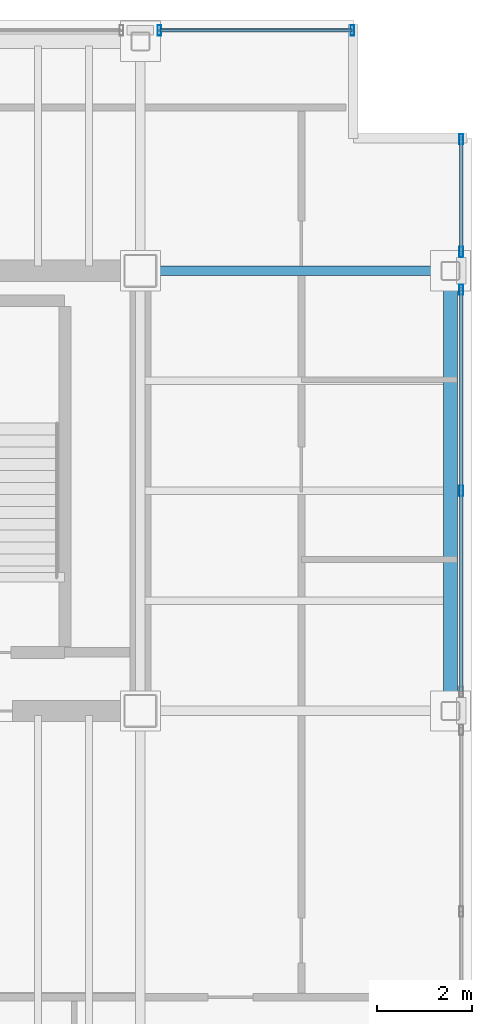
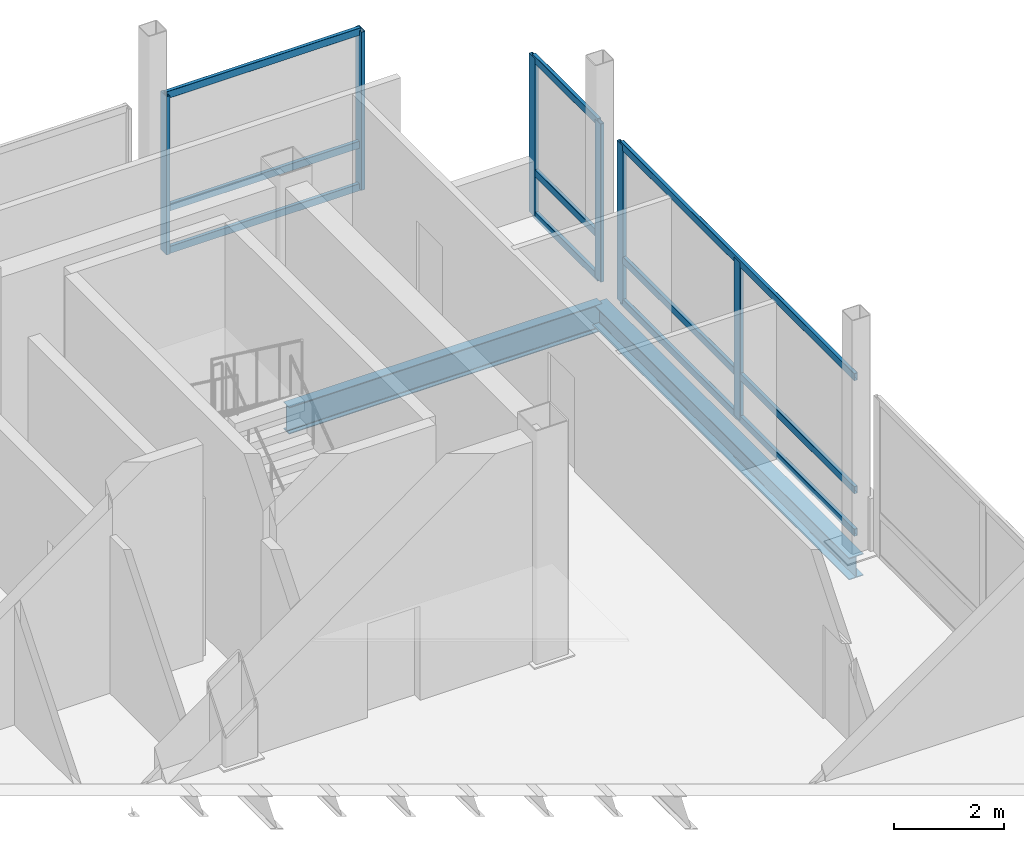
# One storey, part 13 of 17: 15 members, 2 beams, 3 elements without a shape of their own.
"""IFC4 building model written with IfcOpenShell, lengths in metres."""

import ifcopenshell
import ifcopenshell.guid

model = None  # the IFC model being written
_history = None  # IfcOwnerHistory: only IFC2X3 demands one
_inside = {}  # id of a spatial element -> (the spatial element, [elements in it])
_under = {}  # id of a project, library or spatial element -> (it, [spatial elements below it])
_declared = {}  # id of a project -> (the project, [libraries it declares])
_typed = {}  # id of a type object -> (the type object, [elements of that type])
_made_of = {}  # id of a material, layer set ... -> (it, [elements and type objects made of it])


def new_model(schema):
    """Start an empty IFC model of exactly this schema.

    Asked for "IFC4X3", IfcOpenShell would pick the latest addendum, in which some entities
    have other attributes; the version numbers below select the first issue.
    IFC2X3 requires an IfcOwnerHistory on every rooted entity: one is made here for all.
    """
    global model, _history
    if schema == "IFC4X3":
        model = ifcopenshell.file(schema_version=(4, 3, 0, 0))
    else:
        model = ifcopenshell.file(schema=schema)
    _inside.clear()
    _under.clear()
    _declared.clear()
    _typed.clear()
    _made_of.clear()
    _history = None
    if model.schema == "IFC2X3":
        org = make("IfcOrganization", Name="unknown")
        user = make(
            "IfcPersonAndOrganization",
            ThePerson=make("IfcPerson", FamilyName="unknown"),
            TheOrganization=org,
        )
        app = make(
            "IfcApplication",
            ApplicationDeveloper=org,
            Version="unknown",
            ApplicationFullName="unknown",
            ApplicationIdentifier="unknown",
        )
        _history = make(
            "IfcOwnerHistory",
            OwningUser=user,
            OwningApplication=app,
            ChangeAction="ADDED",
            CreationDate=0,
        )
    return model


def make(cls, **values):
    """One entity of the class cls with the attributes given. An attribute that is None is left unset."""
    return model.create_entity(
        cls, **{name: value for name, value in values.items() if value is not None}
    )


def rooted(cls, **values):
    """An entity with a GlobalId (a new one), such as an element, a storey or a relation."""
    return make(cls, GlobalId=ifcopenshell.guid.new(), OwnerHistory=_history, **values)


def si_unit(unit_type, name, prefix=None):
    """IfcSIUnit, for example si_unit("LENGTHUNIT", "METRE", prefix="MILLI")."""
    return make("IfcSIUnit", UnitType=unit_type, Prefix=prefix, Name=name)


def assignment(units):
    """IfcUnitAssignment: the units of a project."""
    return None if units is None else make("IfcUnitAssignment", Units=units)


def point(xyz):
    """IfcCartesianPoint."""
    return None if xyz is None else make("IfcCartesianPoint", Coordinates=xyz)


def direction(xyz):
    """IfcDirection."""
    return None if xyz is None else make("IfcDirection", DirectionRatios=xyz)


def frame(location, z_axis=None, x_axis=None):
    """IfcAxis2Placement3D, a coordinate frame: its origin and axes. An axis left out is left unset."""
    return make(
        "IfcAxis2Placement3D",
        Location=point(location),
        Axis=direction(z_axis),
        RefDirection=direction(x_axis),
    )


def frame_2d(location, x_axis=None):
    """IfcAxis2Placement2D, a coordinate frame in the plane: its origin and x axis."""
    return make(
        "IfcAxis2Placement2D", Location=point(location), RefDirection=direction(x_axis)
    )


def origin():
    """The frame at (0, 0, 0) with its axes left unset."""
    return frame((0.0, 0.0, 0.0))


def origin_2d():
    """The frame at (0, 0) in the plane with its x axis left unset."""
    return frame_2d((0.0, 0.0))


def place(relative_to, where):
    """IfcLocalPlacement: puts the frame where relative to a parent placement (None: the world)."""
    return make(
        "IfcLocalPlacement", PlacementRelTo=relative_to, RelativePlacement=where
    )


def context(
    kind, dimensions, precision=None, world=None, true_north=None, identifier=None
):
    """IfcGeometricRepresentationContext, for example the 3D "Model" context."""
    return make(
        "IfcGeometricRepresentationContext",
        ContextIdentifier=identifier,
        ContextType=kind,
        CoordinateSpaceDimension=dimensions,
        Precision=precision,
        WorldCoordinateSystem=world,
        TrueNorth=true_north,
    )


def subcontext(parent, identifier, kind, view, scale=None):
    """IfcGeometricRepresentationSubContext, for example "Body" below "Model"."""
    return make(
        "IfcGeometricRepresentationSubContext",
        ContextIdentifier=identifier,
        ContextType=kind,
        ParentContext=parent,
        TargetScale=scale,
        TargetView=view,
    )


def project(units=None, contexts=None):
    """IfcProject with its units and contexts."""
    return rooted(
        "IfcProject",
        Name="project",
        RepresentationContexts=contexts,
        UnitsInContext=assignment(units),
    )


def spatial(cls, under=None, at=None, **own):
    """A site, building, storey or space (cls), placed at a placement, below another one or the project."""
    s = rooted(cls, ObjectPlacement=at, **own)
    if under is not None:
        _under.setdefault(under.id(), (under, []))[1].append(s)
    return s


def profile(cls, at=None, kind="AREA", **sizes):
    """A parametric profile (cls). Its sizes go by their IFC names, for example OverallWidth=200.0."""
    return make(cls, ProfileType=kind, Position=at, **sizes)


def hollow_rectangle(**sizes):
    """IfcRectangleHollowProfileDef."""
    return profile("IfcRectangleHollowProfileDef", **sizes)


def i_section(**sizes):
    """IfcIShapeProfileDef."""
    return profile("IfcIShapeProfileDef", **sizes)


def extrude(swept, where, along, depth):
    """IfcExtrudedAreaSolid: the profile swept, set in the frame where, extruded along a direction by depth."""
    return make(
        "IfcExtrudedAreaSolid",
        SweptArea=swept,
        Position=where,
        ExtrudedDirection=direction(along),
        Depth=depth,
    )


def shape(context_of_items, identifier, shape_type, items):
    """IfcShapeRepresentation: the items that make up one representation, for example the "Body"."""
    return make(
        "IfcShapeRepresentation",
        ContextOfItems=context_of_items,
        RepresentationIdentifier=identifier,
        RepresentationType=shape_type,
        Items=items,
    )


def material(Name=None, Category=None):
    """IfcMaterial."""
    return make("IfcMaterial", Name=Name, Category=Category)


def material_profile(
    of_material, cross_section, Name=None, Category=None, Priority=None
):
    """IfcMaterialProfile: a cross section and its material."""
    return make(
        "IfcMaterialProfile",
        Name=Name,
        Material=of_material,
        Profile=cross_section,
        Priority=Priority,
        Category=Category,
    )


def profile_set(profiles, Name=None, composite=None):
    """IfcMaterialProfileSet."""
    return make(
        "IfcMaterialProfileSet",
        Name=Name,
        MaterialProfiles=profiles,
        CompositeProfile=composite,
    )


def made_of(thing, what):
    """Note that an element or type object is made of a material, layer set ...; save() writes the relation."""
    if what is not None:
        _made_of.setdefault(what.id(), (what, []))[1].append(thing)
    return thing


def type_object(cls, material=None, **own):
    """A type object (cls), such as IfcWallType, which elements share."""
    return made_of(rooted(cls, **own), material)


def element(
    cls,
    number,
    at=None,
    inside=None,
    cuts=None,
    type_object=None,
    material=None,
    context=None,
    identifier="Body",
    shape_type=None,
    held_by="IfcProductDefinitionShape",
    body=None,
    shapes=None,
    **own,
):
    """One element of the class cls, such as IfcWall. Its Tag is "e" and its number.

    at: its placement. inside: the storey or other place that contains it. cuts: it is an
    opening in that element (IfcRelVoidsElement). A single representation is given by context,
    identifier, shape_type and body (its items); several are given by shapes. held_by: the class
    of the entity that holds the representations. save() writes the other relations.
    """
    e = rooted(cls, Tag="e%d" % number, ObjectPlacement=at, **own)
    if body is not None:
        shapes = [shape(context, identifier, shape_type, body)]
    if shapes is not None:
        e.Representation = make(held_by, Representations=shapes)
    if inside is not None:
        _inside.setdefault(inside.id(), (inside, []))[1].append(e)
    if cuts is not None:
        rooted(
            "IfcRelVoidsElement", RelatingBuildingElement=cuts, RelatedOpeningElement=e
        )
    if type_object is not None:
        _typed.setdefault(type_object.id(), (type_object, []))[1].append(e)
    return made_of(e, material)


def aggregate(whole, parts):
    """IfcRelAggregates: a whole, such as a stair, and the parts it consists of."""
    return rooted("IfcRelAggregates", RelatingObject=whole, RelatedObjects=parts)


def save(model, path):
    """Write the relations noted so far, then the file.

    IfcRelAggregates (storeys below a building ...), IfcRelContainedInSpatialStructure (elements
    in a storey), IfcRelDefinesByType, IfcRelAssociatesMaterial and IfcRelDeclares: one each for
    every whole, place, type object, material and project.
    """
    for whole, parts in _under.values():
        aggregate(whole, parts)
    for where, things in _inside.values():
        rooted(
            "IfcRelContainedInSpatialStructure",
            RelatedElements=things,
            RelatingStructure=where,
        )
    for kind, things in _typed.values():
        rooted("IfcRelDefinesByType", RelatedObjects=things, RelatingType=kind)
    for what, things in _made_of.values():
        rooted("IfcRelAssociatesMaterial", RelatedObjects=things, RelatingMaterial=what)
    for by, libraries in _declared.values():
        rooted("IfcRelDeclares", RelatingContext=by, RelatedDefinitions=libraries)
    model.write(path)


model = new_model("IFC4")

# Units and contexts
model_context = context("Model", 3, precision=1e-05, world=origin(), true_north=direction((0.0, 1.0)))
body_context = subcontext(model_context, "Body", "Model", "MODEL_VIEW")
ifc_project = project(units=[si_unit("LENGTHUNIT", "METRE"), si_unit("AREAUNIT", "SQUARE_METRE"), si_unit("VOLUMEUNIT", "CUBIC_METRE"), si_unit("PLANEANGLEUNIT", "RADIAN"), si_unit("MASSUNIT", "GRAM", prefix="KILO")], contexts=[model_context])

# Site, building, storey
site_placement = place(None, origin())
site = spatial("IfcSite", under=ifc_project, at=site_placement, CompositionType="ELEMENT")
building_placement = place(site_placement, origin())
building = spatial("IfcBuilding", under=site, at=building_placement, Name="Noeulbin Bourse Tower", CompositionType="ELEMENT")
storey_placement = place(building_placement, frame((0.0, 0.0, 300.800048828125)))
storey = spatial("IfcBuildingStorey", under=building, at=storey_placement, Name="L75", CompositionType="ELEMENT", Elevation=300.800048828125)

# Beams
ifc_material_1 = material(Name="Steel S355", Category="steel")
ifc_material_profile_1 = material_profile(ifc_material_1, i_section(OverallWidth=0.199951171875, OverallDepth=0.60009765625, WebThickness=0.010986328125, FlangeThickness=0.01708984375, FilletRadius=0.02197265625, at=origin_2d()), Name="H-600x200x11x17", Category="LoadBearing")
ifc_profile_set_1 = profile_set([ifc_material_profile_1], Name="Steel S355")
beam_type_1 = type_object("IfcBeamType", Name="BM-GRD-600", PredefinedType="USERDEFINED", material=ifc_profile_set_1)
beam_1_placement = place(storey_placement, frame((44.0, 38.300048828125, -0.47998046875), z_axis=(1.0, 0.0, 0.0), x_axis=(0.0, 1.0, 0.0)))
element("IfcBeam", 1, at=beam_1_placement, inside=storey, type_object=beam_type_1, Name="Tower Primary Girder EW L75-3.4", ObjectType="GIRDER", PredefinedType="USERDEFINED", context=body_context, shape_type="SweptSolid", body=[
    extrude(i_section(OverallWidth=0.199951171875, OverallDepth=0.60009765625, WebThickness=0.010986328125, FlangeThickness=0.01708984375, FilletRadius=0.02197265625, at=origin_2d()), origin(), (0.0, 0.0, 1.0), 6.550048828125),
])
ifc_material_profile_2 = material_profile(ifc_material_1, i_section(OverallWidth=0.300048828125, OverallDepth=0.488037109375, WebThickness=0.010986328125, FlangeThickness=0.01806640625, FilletRadius=0.02197265625, at=origin_2d()), Name="H-488x300x11x18", Category="LoadBearing")
ifc_profile_set_2 = profile_set([ifc_material_profile_2], Name="Steel S355")
beam_type_2 = type_object("IfcBeamType", Name="BM-SPN-488", PredefinedType="SPANDREL", material=ifc_profile_set_2)
beam_2_placement = place(storey_placement, frame((50.550048828125, 29.0, -0.424072265625), z_axis=(0.0, 1.0, 0.0), x_axis=(-1.0, 0.0, 0.0)))
element("IfcBeam", 2, at=beam_2_placement, inside=storey, type_object=beam_type_2, Name="East Spandrel L75-1", PredefinedType="SPANDREL", context=body_context, shape_type="SweptSolid", body=[
    extrude(i_section(OverallWidth=0.300048828125, OverallDepth=0.488037109375, WebThickness=0.010986328125, FlangeThickness=0.01806640625, FilletRadius=0.02197265625, at=origin_2d()), origin(), (0.0, 0.0, 1.0), 9.300048828125),
])

# Curtain wall, members
ifc_material_2 = material(Name="High-Selectivity Low-Iron Glazing", Category="glass")
curtain_wall_type = type_object("IfcCurtainWallType", Name="CW-SYS-4", PredefinedType="NOTDEFINED", material=ifc_material_2)
curtain_wall_1_placement = place(storey_placement, origin())
curtain_wall_1 = element("IfcCurtainWall", 3, at=curtain_wall_1_placement, inside=storey, type_object=curtain_wall_type, Name="Unitised Curtain Wall CW-L75-N-S5", PredefinedType="NOTDEFINED")
ifc_material_3 = material(Name="Anodised Aluminium 6063-T6", Category="aluminium")
ifc_material_profile_3 = material_profile(ifc_material_3, hollow_rectangle(XDim=0.074951171875, YDim=0.219970703125, WallThickness=0.0048828125, InnerFilletRadius=0.00244140625, OuterFilletRadius=0.0048828125, at=origin_2d()), Name="ALU-MULL-75x220x5", Category="LoadBearing")
ifc_profile_set_3 = profile_set([ifc_material_profile_3], Name="Anodised Aluminium 6063-T6")
member_type_1 = type_object("IfcMemberType", Name="CW-SYS-4-MUL", PredefinedType="MULLION", material=ifc_profile_set_3)
member_1_placement = place(storey_placement, frame((44.39990234375, 43.3798828125, -0.02001953125), z_axis=(0.0, 0.0, 1.0), x_axis=(1.0, 0.0, 0.0)))
member_1 = element("IfcMember", 4, at=member_1_placement, type_object=member_type_1, Name="Curtain Wall Mullion CW-L75-N-S5-M00", PredefinedType="MULLION", context=body_context, shape_type="SweptSolid", body=[
    extrude(hollow_rectangle(XDim=0.074951171875, YDim=0.219970703125, WallThickness=0.0048828125, InnerFilletRadius=0.00244140625, OuterFilletRadius=0.0048828125, at=origin_2d()), origin(), (0.0, 0.0, 1.0), 3.5),
])
member_2_placement = place(storey_placement, frame((48.47998046875, 43.3798828125, -0.02001953125), z_axis=(0.0, 0.0, 1.0), x_axis=(1.0, 0.0, 0.0)))
member_2 = element("IfcMember", 5, at=member_2_placement, type_object=member_type_1, Name="Curtain Wall Mullion CW-L75-N-S5-M01", PredefinedType="MULLION", context=body_context, shape_type="SweptSolid", body=[
    extrude(hollow_rectangle(XDim=0.074951171875, YDim=0.219970703125, WallThickness=0.0048828125, InnerFilletRadius=0.00244140625, OuterFilletRadius=0.0048828125, at=origin_2d()), origin(), (0.0, 0.0, 1.0), 3.5),
])

curtain_wall_2_placement = place(storey_placement, origin())
curtain_wall_2 = element("IfcCurtainWall", 6, at=curtain_wall_2_placement, inside=storey, type_object=curtain_wall_type, Name="Unitised Curtain Wall CW-L75-E-S2", PredefinedType="NOTDEFINED")
member_3_placement = place(storey_placement, frame((50.780029296875, 33.64990234375, -0.02001953125), z_axis=(0.0, 0.0, 1.0), x_axis=(1.0, 0.0, 0.0)))
member_3 = element("IfcMember", 7, at=member_3_placement, type_object=member_type_1, Name="Curtain Wall Mullion CW-L75-E-S2-M01", PredefinedType="MULLION", context=body_context, shape_type="SweptSolid", body=[
    extrude(hollow_rectangle(XDim=0.074951171875, YDim=0.219970703125, WallThickness=0.0048828125, InnerFilletRadius=0.00244140625, OuterFilletRadius=0.0048828125, at=origin_2d()), origin(), (0.0, 0.0, 1.0), 3.5),
])
member_4_placement = place(storey_placement, frame((50.780029296875, 37.89990234375, -0.02001953125), z_axis=(0.0, 0.0, 1.0), x_axis=(1.0, 0.0, 0.0)))
member_4 = element("IfcMember", 8, at=member_4_placement, type_object=member_type_1, Name="Curtain Wall Mullion CW-L75-E-S2-M02", PredefinedType="MULLION", context=body_context, shape_type="SweptSolid", body=[
    extrude(hollow_rectangle(XDim=0.074951171875, YDim=0.219970703125, WallThickness=0.0048828125, InnerFilletRadius=0.00244140625, OuterFilletRadius=0.0048828125, at=origin_2d()), origin(), (0.0, 0.0, 1.0), 3.5),
])

curtain_wall_3_placement = place(storey_placement, origin())
curtain_wall_3 = element("IfcCurtainWall", 9, at=curtain_wall_3_placement, inside=storey, type_object=curtain_wall_type, Name="Unitised Curtain Wall CW-L75-E-S3", PredefinedType="NOTDEFINED")
member_5_placement = place(storey_placement, frame((50.780029296875, 38.699951171875, -0.02001953125), z_axis=(0.0, 0.0, 1.0), x_axis=(1.0, 0.0, 0.0)))
member_5 = element("IfcMember", 10, at=member_5_placement, type_object=member_type_1, Name="Curtain Wall Mullion CW-L75-E-S3-M00", PredefinedType="MULLION", context=body_context, shape_type="SweptSolid", body=[
    extrude(hollow_rectangle(XDim=0.074951171875, YDim=0.219970703125, WallThickness=0.0048828125, InnerFilletRadius=0.00244140625, OuterFilletRadius=0.0048828125, at=origin_2d()), origin(), (0.0, 0.0, 1.0), 3.5),
])
member_6_placement = place(storey_placement, frame((50.780029296875, 41.080078125, -0.02001953125), z_axis=(0.0, 0.0, 1.0), x_axis=(1.0, 0.0, 0.0)))
member_6 = element("IfcMember", 11, at=member_6_placement, type_object=member_type_1, Name="Curtain Wall Mullion CW-L75-E-S3-M01", PredefinedType="MULLION", context=body_context, shape_type="SweptSolid", body=[
    extrude(hollow_rectangle(XDim=0.074951171875, YDim=0.219970703125, WallThickness=0.0048828125, InnerFilletRadius=0.00244140625, OuterFilletRadius=0.0048828125, at=origin_2d()), origin(), (0.0, 0.0, 1.0), 3.5),
])

# Member
ifc_material_profile_4 = material_profile(ifc_material_3, hollow_rectangle(XDim=0.074951171875, YDim=0.159912109375, WallThickness=0.0048828125, InnerFilletRadius=0.00244140625, OuterFilletRadius=0.0048828125, at=origin_2d()), Name="ALU-TRAN-75x160x5", Category="LoadBearing")
ifc_profile_set_4 = profile_set([ifc_material_profile_4], Name="Anodised Aluminium 6063-T6")
member_type_2 = type_object("IfcMemberType", Name="CW-SYS-4-TRN", PredefinedType="USERDEFINED", material=ifc_profile_set_4)
member_7_placement = place(storey_placement, frame((44.409912109375, 43.3798828125, 0.010009765625), z_axis=(1.0, 0.0, 0.0), x_axis=(0.0, 1.0, 0.0)))
member_7 = element("IfcMember", 12, at=member_7_placement, type_object=member_type_2, Name="Curtain Wall Transom CW-L75-N-S5-T00", ObjectType="TRANSOM", PredefinedType="USERDEFINED", context=body_context, shape_type="SweptSolid", body=[
    extrude(hollow_rectangle(XDim=0.074951171875, YDim=0.159912109375, WallThickness=0.0048828125, InnerFilletRadius=0.00244140625, OuterFilletRadius=0.0048828125, at=origin_2d()), origin(), (0.0, 0.0, 1.0), 4.06005859375),
])

member_8_placement = place(storey_placement, frame((44.409912109375, 43.3798828125, 0.949951171875), z_axis=(1.0, 0.0, 0.0), x_axis=(0.0, 1.0, 0.0)))
member_8 = element("IfcMember", 13, at=member_8_placement, type_object=member_type_2, Name="Curtain Wall Transom CW-L75-N-S5-T01", ObjectType="TRANSOM", PredefinedType="USERDEFINED", context=body_context, shape_type="SweptSolid", body=[
    extrude(hollow_rectangle(XDim=0.074951171875, YDim=0.159912109375, WallThickness=0.0048828125, InnerFilletRadius=0.00244140625, OuterFilletRadius=0.0048828125, at=origin_2d()), origin(), (0.0, 0.0, 1.0), 4.06005859375),
])

member_9_placement = place(storey_placement, frame((44.409912109375, 43.3798828125, 3.449951171875), z_axis=(1.0, 0.0, 0.0), x_axis=(0.0, 1.0, 0.0)))
member_9 = element("IfcMember", 14, at=member_9_placement, type_object=member_type_2, Name="Curtain Wall Transom CW-L75-N-S5-T02", ObjectType="TRANSOM", PredefinedType="USERDEFINED", context=body_context, shape_type="SweptSolid", body=[
    extrude(hollow_rectangle(XDim=0.074951171875, YDim=0.159912109375, WallThickness=0.0048828125, InnerFilletRadius=0.00244140625, OuterFilletRadius=0.0048828125, at=origin_2d()), origin(), (0.0, 0.0, 1.0), 4.06005859375),
])

aggregate(curtain_wall_1, [member_1, member_2, member_7, member_8, member_9])

member_10_placement = place(storey_placement, frame((50.780029296875, 29.409912109375, 0.010009765625), z_axis=(0.0, 1.0, 0.0), x_axis=(-1.0, 0.0, 0.0)))
member_10 = element("IfcMember", 15, at=member_10_placement, type_object=member_type_2, Name="Curtain Wall Transom CW-L75-E-S2-T00", ObjectType="TRANSOM", PredefinedType="USERDEFINED", context=body_context, shape_type="SweptSolid", body=[
    extrude(hollow_rectangle(XDim=0.074951171875, YDim=0.159912109375, WallThickness=0.0048828125, InnerFilletRadius=0.00244140625, OuterFilletRadius=0.0048828125, at=origin_2d()), origin(), (0.0, 0.0, 1.0), 8.47998046875),
])

member_11_placement = place(storey_placement, frame((50.780029296875, 29.409912109375, 0.949951171875), z_axis=(0.0, 1.0, 0.0), x_axis=(-1.0, 0.0, 0.0)))
member_11 = element("IfcMember", 16, at=member_11_placement, type_object=member_type_2, Name="Curtain Wall Transom CW-L75-E-S2-T01", ObjectType="TRANSOM", PredefinedType="USERDEFINED", context=body_context, shape_type="SweptSolid", body=[
    extrude(hollow_rectangle(XDim=0.074951171875, YDim=0.159912109375, WallThickness=0.0048828125, InnerFilletRadius=0.00244140625, OuterFilletRadius=0.0048828125, at=origin_2d()), origin(), (0.0, 0.0, 1.0), 8.47998046875),
])

member_12_placement = place(storey_placement, frame((50.780029296875, 29.409912109375, 3.449951171875), z_axis=(0.0, 1.0, 0.0), x_axis=(-1.0, 0.0, 0.0)))
member_12 = element("IfcMember", 17, at=member_12_placement, type_object=member_type_2, Name="Curtain Wall Transom CW-L75-E-S2-T02", ObjectType="TRANSOM", PredefinedType="USERDEFINED", context=body_context, shape_type="SweptSolid", body=[
    extrude(hollow_rectangle(XDim=0.074951171875, YDim=0.159912109375, WallThickness=0.0048828125, InnerFilletRadius=0.00244140625, OuterFilletRadius=0.0048828125, at=origin_2d()), origin(), (0.0, 0.0, 1.0), 8.47998046875),
])

aggregate(curtain_wall_2, [member_3, member_4, member_10, member_11, member_12])

member_13_placement = place(storey_placement, frame((50.780029296875, 38.7099609375, 0.010009765625), z_axis=(0.0, 1.0, 0.0), x_axis=(-1.0, 0.0, 0.0)))
member_13 = element("IfcMember", 18, at=member_13_placement, type_object=member_type_2, Name="Curtain Wall Transom CW-L75-E-S3-T00", ObjectType="TRANSOM", PredefinedType="USERDEFINED", context=body_context, shape_type="SweptSolid", body=[
    extrude(hollow_rectangle(XDim=0.074951171875, YDim=0.159912109375, WallThickness=0.0048828125, InnerFilletRadius=0.00244140625, OuterFilletRadius=0.0048828125, at=origin_2d()), origin(), (0.0, 0.0, 1.0), 2.360107421875),
])

member_14_placement = place(storey_placement, frame((50.780029296875, 38.7099609375, 0.949951171875), z_axis=(0.0, 1.0, 0.0), x_axis=(-1.0, 0.0, 0.0)))
member_14 = element("IfcMember", 19, at=member_14_placement, type_object=member_type_2, Name="Curtain Wall Transom CW-L75-E-S3-T01", ObjectType="TRANSOM", PredefinedType="USERDEFINED", context=body_context, shape_type="SweptSolid", body=[
    extrude(hollow_rectangle(XDim=0.074951171875, YDim=0.159912109375, WallThickness=0.0048828125, InnerFilletRadius=0.00244140625, OuterFilletRadius=0.0048828125, at=origin_2d()), origin(), (0.0, 0.0, 1.0), 2.360107421875),
])

member_15_placement = place(storey_placement, frame((50.780029296875, 38.7099609375, 3.449951171875), z_axis=(0.0, 1.0, 0.0), x_axis=(-1.0, 0.0, 0.0)))
member_15 = element("IfcMember", 20, at=member_15_placement, type_object=member_type_2, Name="Curtain Wall Transom CW-L75-E-S3-T02", ObjectType="TRANSOM", PredefinedType="USERDEFINED", context=body_context, shape_type="SweptSolid", body=[
    extrude(hollow_rectangle(XDim=0.074951171875, YDim=0.159912109375, WallThickness=0.0048828125, InnerFilletRadius=0.00244140625, OuterFilletRadius=0.0048828125, at=origin_2d()), origin(), (0.0, 0.0, 1.0), 2.360107421875),
])

aggregate(curtain_wall_3, [member_5, member_6, member_13, member_14, member_15])

save(model, "model.ifc")
